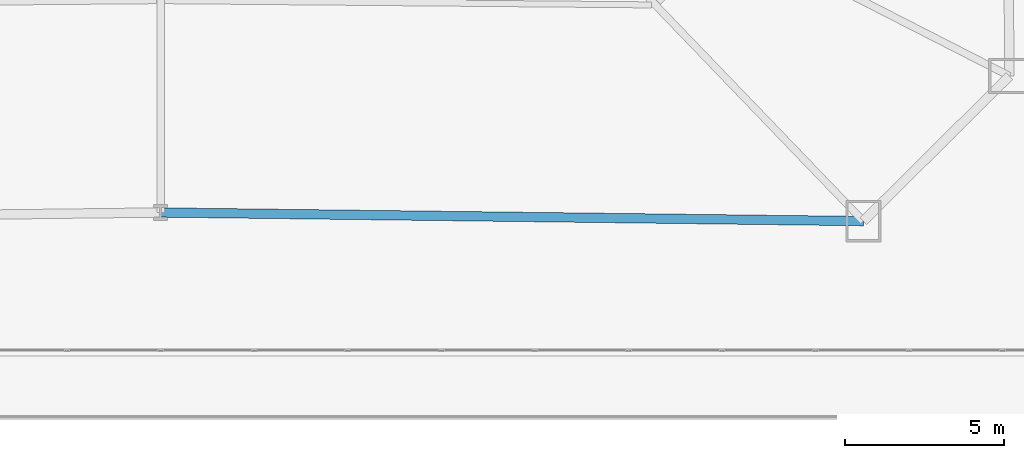
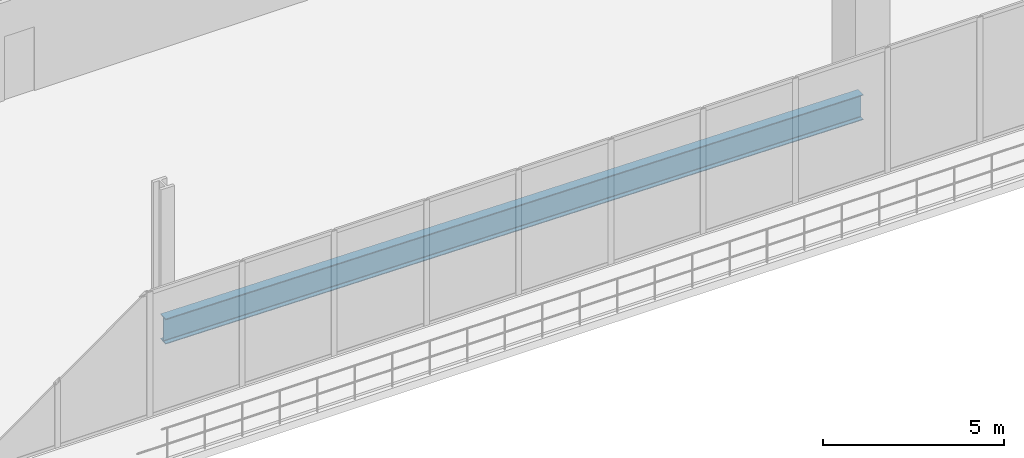
# One storey, part 9 of 31: 1 beam.
"""IFC4 building model written with IfcOpenShell, lengths in metres."""

from ifc_helpers import new_model, si_unit, direction, frame, origin, origin_2d, place, context, subcontext, project, spatial, i_section, extrude, material, material_profile, profile_set, type_object, element, save


model = new_model("IFC4")

# Units and contexts
model_context = context("Model", 3, precision=1e-05, world=origin(), true_north=direction((0.0, 1.0)))
body_context = subcontext(model_context, "Body", "Model", "MODEL_VIEW")
ifc_project = project(units=[si_unit("LENGTHUNIT", "METRE"), si_unit("AREAUNIT", "SQUARE_METRE"), si_unit("VOLUMEUNIT", "CUBIC_METRE"), si_unit("PLANEANGLEUNIT", "RADIAN"), si_unit("MASSUNIT", "GRAM", prefix="KILO")], contexts=[model_context])

# Site, building, storey
site_placement = place(None, origin())
site = spatial("IfcSite", under=ifc_project, at=site_placement, CompositionType="ELEMENT")
building_placement = place(site_placement, origin())
building = spatial("IfcBuilding", under=site, at=building_placement, Name="Caelvoria Tower", CompositionType="ELEMENT")
storey_placement = place(building_placement, frame((0.0, 0.0, 9.5)))
storey = spatial("IfcBuildingStorey", under=building, at=storey_placement, Name="L02", CompositionType="ELEMENT", Elevation=9.5)

# Beam
ifc_material = material(Name="Structural Steel ASTM A992 Gr.50", Category="steel")
ifc_material_profile = material_profile(ifc_material, i_section(OverallWidth=0.2939453125, OverallDepth=0.85107421875, WebThickness=0.01611328125, FlangeThickness=0.02685546875, FilletRadius=0.02197265625, at=origin_2d()), Name="Structural Steel ASTM A992 Gr.50")
ifc_profile_set = profile_set([ifc_material_profile], Name="W840X226 - Structural Steel ASTM A992 Gr.50")
beam_type = type_object("IfcBeamType", Name="Podium Long-Span Girder W840X226", PredefinedType="BEAM", material=ifc_profile_set)
beam_placement = place(storey_placement, frame((46.0, 10.699951171875, -0.70556640625), z_axis=(0.999924666978, -0.01227437855, 0.0), x_axis=(0.01227437855, 0.999924666978, 0.0)))
element("IfcBeam", 1, at=beam_placement, inside=storey, type_object=beam_type, Name="Perimeter Spandrel Girder L02-01", PredefinedType="BEAM", context=body_context, shape_type="SweptSolid", body=[
    extrude(i_section(OverallWidth=0.2939453125, OverallDepth=0.85107421875, WebThickness=0.01611328125, FlangeThickness=0.02685546875, FilletRadius=0.02197265625, at=origin_2d()), origin(), (0.0, 0.0, 1.0), 22.058349609375),
])

save(model, "model.ifc")
